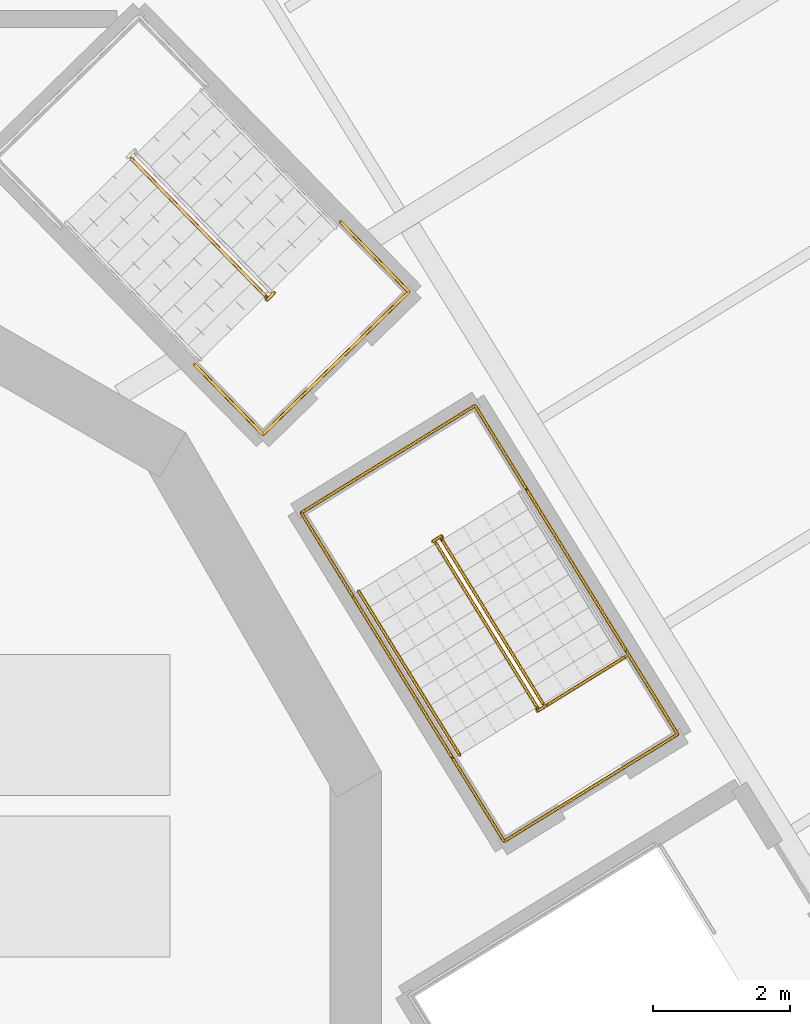
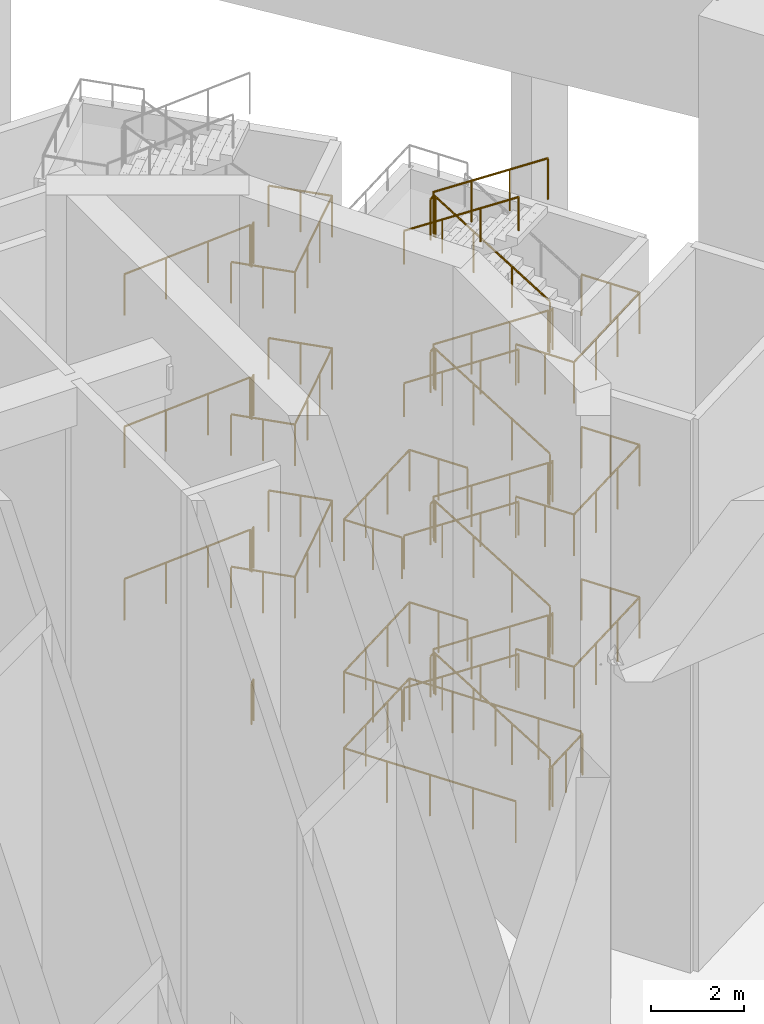
# One storey, part 13 of 15: 27 railings.
"""IFC4 building model written with IfcOpenShell, lengths in metres."""

from ifc_helpers import new_model, si_unit, direction, frame, origin, origin_2d, place, context, subcontext, project, spatial, circle, extrude, material, type_object, element, save


model = new_model("IFC4")

# Units and contexts
model_context = context("Model", 3, precision=1e-05, world=origin(), true_north=direction((0.0, 1.0)))
body_context = subcontext(model_context, "Body", "Model", "MODEL_VIEW")
ifc_project = project(units=[si_unit("LENGTHUNIT", "METRE"), si_unit("AREAUNIT", "SQUARE_METRE"), si_unit("VOLUMEUNIT", "CUBIC_METRE"), si_unit("PLANEANGLEUNIT", "RADIAN"), si_unit("MASSUNIT", "GRAM", prefix="KILO")], contexts=[model_context])

# Site, building, storey
site_placement = place(None, origin())
site = spatial("IfcSite", under=ifc_project, at=site_placement, CompositionType="ELEMENT")
building_placement = place(site_placement, origin())
building = spatial("IfcBuilding", under=site, at=building_placement, Name="Cantera Rosa Tower", CompositionType="ELEMENT")
storey_placement = place(building_placement, frame((0.0, 0.0, 189.39990234375)))
storey = spatial("IfcBuildingStorey", under=building, at=storey_placement, Name="L42", CompositionType="ELEMENT", Elevation=189.39990234375)

# Railings
ifc_material_1 = material(Name="Steel S355J2 (EN 10025-2)", Category="steel")
railing_type_1 = type_object("IfcRailingType", Name="STAIR GUARD 1100", PredefinedType="GUARDRAIL", material=ifc_material_1)
railing_1_placement = place(storey_placement, frame((14.174072265625, 4.513916015625, 0.0)))
element("IfcRailing", 1, at=railing_1_placement, inside=storey, type_object=railing_type_1, Name="L42 ST-31 top well guard 1", PredefinedType="GUARDRAIL", context=body_context, shape_type="SweptSolid", body=[
    extrude(circle(Radius=0.02392578125, at=origin_2d()), frame((0.0, 0.0, 1.076171875), z_axis=(-0.851138143202, -0.52494176933, 0.0), x_axis=(0.52494176933, -0.851138143202, 0.0)), (0.0, 0.0, 1.0), 1.5),
    extrude(circle(Radius=0.02099609375, at=origin_2d()), origin(), (0.0, 0.0, 1.0), 1.052001953125),
    extrude(circle(Radius=0.02099609375, at=origin_2d()), frame((-0.63818359375, -0.3935546875, 0.0)), (0.0, 0.0, 1.0), 1.052001953125),
    extrude(circle(Radius=0.02099609375, at=origin_2d()), frame((-1.276611328125, -0.787353515625, 0.0)), (0.0, 0.0, 1.0), 1.052001953125),
])
railing_2_placement = place(storey_placement, frame((14.192626953125, 4.59814453125, 0.0)))
element("IfcRailing", 2, at=railing_2_placement, inside=storey, type_object=railing_type_1, Name="L42 ST-31 top well guard 2", PredefinedType="GUARDRAIL", context=body_context, shape_type="SweptSolid", body=[
    extrude(circle(Radius=0.02392578125, at=origin_2d()), frame((0.0, 0.0, 1.076171875), z_axis=(-0.524976478809, 0.851116735059, 0.0), x_axis=(-0.851116735059, -0.524976478809, 0.0)), (0.0, 0.0, 1.0), 4.197998046875),
    extrude(circle(Radius=0.02392578125, at=origin_2d()), frame((-2.203857421875, 3.572998046875, 1.076171875), z_axis=(-0.851132917336, -0.524950242429, 0.0), x_axis=(0.524950242429, -0.851132917336, 0.0)), (0.0, 0.0, 1.0), 2.969970703125),
    extrude(circle(Radius=0.02392578125, at=origin_2d()), frame((-4.731689453125, 2.013916015625, 1.076171875), z_axis=(0.524976478809, -0.851116735059, 0.0), x_axis=(0.851116735059, 0.524976478809, 0.0)), (0.0, 0.0, 1.0), 4.197998046875),
    extrude(circle(Radius=0.02099609375, at=origin_2d()), origin(), (0.0, 0.0, 1.0), 1.052001953125),
    extrude(circle(Radius=0.02099609375, at=origin_2d()), frame((-0.551025390625, 0.893310546875, 0.0)), (0.0, 0.0, 1.0), 1.052001953125),
    extrude(circle(Radius=0.02099609375, at=origin_2d()), frame((-1.10205078125, 1.78662109375, 0.0)), (0.0, 0.0, 1.0), 1.052001953125),
    extrude(circle(Radius=0.02099609375, at=origin_2d()), frame((-1.65283203125, 2.6796875, 0.0)), (0.0, 0.0, 1.0), 1.052001953125),
    extrude(circle(Radius=0.02099609375, at=origin_2d()), frame((-2.203857421875, 3.572998046875, 0.0)), (0.0, 0.0, 1.0), 1.052001953125),
    extrude(circle(Radius=0.02099609375, at=origin_2d()), frame((-3.04638671875, 3.05322265625, 0.0)), (0.0, 0.0, 1.0), 1.052001953125),
    extrude(circle(Radius=0.02099609375, at=origin_2d()), frame((-3.88916015625, 2.53369140625, 0.0)), (0.0, 0.0, 1.0), 1.052001953125),
    extrude(circle(Radius=0.02099609375, at=origin_2d()), frame((-4.731689453125, 2.013916015625, 0.0)), (0.0, 0.0, 1.0), 1.052001953125),
    extrude(circle(Radius=0.02099609375, at=origin_2d()), frame((-4.1806640625, 1.12060546875, 0.0)), (0.0, 0.0, 1.0), 1.052001953125),
    extrude(circle(Radius=0.02099609375, at=origin_2d()), frame((-3.6298828125, 0.2275390625, 0.0)), (0.0, 0.0, 1.0), 1.052001953125),
    extrude(circle(Radius=0.02099609375, at=origin_2d()), frame((-3.078857421875, -0.665771484375, 0.0)), (0.0, 0.0, 1.0), 1.052001953125),
    extrude(circle(Radius=0.02099609375, at=origin_2d()), frame((-2.52783203125, -1.55908203125, 0.0)), (0.0, 0.0, 1.0), 1.052001953125),
])
railing_3_placement = place(storey_placement, frame((12.9765625, 3.834228515625, 0.181884765625)))
element("IfcRailing", 3, at=railing_3_placement, inside=storey, type_object=railing_type_1, Name="L42 ST-41 stair guard 1", PredefinedType="GUARDRAIL", context=body_context, shape_type="SweptSolid", body=[
    extrude(circle(Radius=0.02392578125, at=origin_2d()), frame((0.0, 0.0, 1.076171875), z_axis=(-0.440255040635, 0.713842101601, 0.544614499603), x_axis=(-0.851142948908, -0.5249339773, 0.0)), (0.0, 0.0, 1.0), 3.33837890625),
    extrude(circle(Radius=0.02392578125, at=origin_2d()), frame((-1.4697265625, 2.383056640625, 2.89404296875), z_axis=(-0.073711968402, 0.997279572494, 0.0), x_axis=(-0.997279572494, -0.073711968402, 0.0)), (0.0, 0.0, 1.0), 0.056396484375),
    extrude(circle(Radius=0.02392578125, at=origin_2d()), frame((-1.473876953125, 2.439208984375, 2.89404296875), z_axis=(-0.851546489876, -0.524279100842, 0.0), x_axis=(0.524279100842, -0.851546489876, 0.0)), (0.0, 0.0, 1.0), 0.14990234375),
    extrude(circle(Radius=0.02099609375, at=origin_2d()), origin(), (0.0, 0.0, 1.0), 1.052001953125),
    extrude(circle(Radius=0.02099609375, at=origin_2d()), frame((-0.489990234375, 0.79443359375, 0.60595703125)), (0.0, 0.0, 1.0), 1.052001953125),
    extrude(circle(Radius=0.02099609375, at=origin_2d()), frame((-0.979736328125, 1.588623046875, 1.212158203125)), (0.0, 0.0, 1.0), 1.052001953125),
    extrude(circle(Radius=0.02099609375, at=origin_2d()), frame((-1.4697265625, 2.383056640625, 1.818115234375)), (0.0, 0.0, 1.0), 1.052001953125),
    extrude(circle(Radius=0.02099609375, at=origin_2d()), frame((-1.473876953125, 2.439208984375, 1.818115234375)), (0.0, 0.0, 1.0), 1.052001953125),
    extrude(circle(Radius=0.02099609375, at=origin_2d()), frame((-1.6015625, 2.360595703125, 1.818115234375)), (0.0, 0.0, 1.0), 1.052001953125),
])
railing_4_placement = place(storey_placement, frame((11.42333984375, 6.165771484375, 2.181884765625)))
element("IfcRailing", 4, at=railing_4_placement, inside=storey, type_object=railing_type_1, Name="L42 ST-41 stair guard 2", PredefinedType="GUARDRAIL", context=body_context, shape_type="SweptSolid", body=[
    extrude(circle(Radius=0.02392578125, at=origin_2d()), frame((0.0, 0.0, 1.076171875), z_axis=(0.440313995068, -0.713819117399, 0.54459696417), x_axis=(0.851103988667, 0.524997143301, 0.0)), (0.0, 0.0, 1.0), 3.33837890625),
    extrude(circle(Radius=0.02392578125, at=origin_2d()), frame((1.469970703125, -2.383056640625, 2.89404296875), z_axis=(0.073711968402, -0.997279572494, 0.0), x_axis=(0.997279572494, 0.073711968402, 0.0)), (0.0, 0.0, 1.0), 0.056396484375),
    extrude(circle(Radius=0.02392578125, at=origin_2d()), frame((1.47412109375, -2.439208984375, 2.89404296875), z_axis=(0.851546489876, 0.524279100842, 0.0), x_axis=(-0.524279100842, 0.851546489876, 0.0)), (0.0, 0.0, 1.0), 0.14990234375),
    extrude(circle(Radius=0.02099609375, at=origin_2d()), origin(), (0.0, 0.0, 1.0), 1.052001953125),
    extrude(circle(Radius=0.02099609375, at=origin_2d()), frame((0.489990234375, -0.79443359375, 0.60595703125)), (0.0, 0.0, 1.0), 1.052001953125),
    extrude(circle(Radius=0.02099609375, at=origin_2d()), frame((0.97998046875, -1.588623046875, 1.212158203125)), (0.0, 0.0, 1.0), 1.052001953125),
    extrude(circle(Radius=0.02099609375, at=origin_2d()), frame((1.469970703125, -2.383056640625, 1.818115234375)), (0.0, 0.0, 1.0), 1.052001953125),
    extrude(circle(Radius=0.02099609375, at=origin_2d()), frame((1.47412109375, -2.439208984375, 1.818115234375)), (0.0, 0.0, 1.0), 1.052001953125),
    extrude(circle(Radius=0.02099609375, at=origin_2d()), frame((1.601806640625, -2.360595703125, 1.818115234375)), (0.0, 0.0, 1.0), 1.052001953125),
])
railing_5_placement = place(storey_placement, frame((12.9765625, 3.834228515625, 4.181884765625)))
element("IfcRailing", 5, at=railing_5_placement, inside=storey, type_object=railing_type_1, Name="L42 ST-41 stair guard 3", PredefinedType="GUARDRAIL", context=body_context, shape_type="SweptSolid", body=[
    extrude(circle(Radius=0.02392578125, at=origin_2d()), frame((0.0, 0.0, 1.076171875), z_axis=(-0.440255040635, 0.713842101601, 0.544614499603), x_axis=(-0.851142948908, -0.5249339773, 0.0)), (0.0, 0.0, 1.0), 3.33837890625),
    extrude(circle(Radius=0.02392578125, at=origin_2d()), frame((-1.4697265625, 2.383056640625, 2.89404296875), z_axis=(-0.073711968402, 0.997279572494, 0.0), x_axis=(-0.997279572494, -0.073711968402, 0.0)), (0.0, 0.0, 1.0), 0.056396484375),
    extrude(circle(Radius=0.02392578125, at=origin_2d()), frame((-1.473876953125, 2.439208984375, 2.89404296875), z_axis=(-0.851546489876, -0.524279100842, 0.0), x_axis=(0.524279100842, -0.851546489876, 0.0)), (0.0, 0.0, 1.0), 0.14990234375),
    extrude(circle(Radius=0.02099609375, at=origin_2d()), origin(), (0.0, 0.0, 1.0), 1.052001953125),
    extrude(circle(Radius=0.02099609375, at=origin_2d()), frame((-0.489990234375, 0.79443359375, 0.60595703125)), (0.0, 0.0, 1.0), 1.052001953125),
    extrude(circle(Radius=0.02099609375, at=origin_2d()), frame((-0.979736328125, 1.588623046875, 1.212158203125)), (0.0, 0.0, 1.0), 1.052001953125),
    extrude(circle(Radius=0.02099609375, at=origin_2d()), frame((-1.4697265625, 2.383056640625, 1.818115234375)), (0.0, 0.0, 1.0), 1.052001953125),
    extrude(circle(Radius=0.02099609375, at=origin_2d()), frame((-1.473876953125, 2.439208984375, 1.818115234375)), (0.0, 0.0, 1.0), 1.052001953125),
    extrude(circle(Radius=0.02099609375, at=origin_2d()), frame((-1.6015625, 2.360595703125, 1.818115234375)), (0.0, 0.0, 1.0), 1.052001953125),
])
railing_6_placement = place(storey_placement, frame((11.42333984375, 6.165771484375, 6.181884765625)))
element("IfcRailing", 6, at=railing_6_placement, inside=storey, type_object=railing_type_1, Name="L42 ST-41 stair guard 4", PredefinedType="GUARDRAIL", context=body_context, shape_type="SweptSolid", body=[
    extrude(circle(Radius=0.02392578125, at=origin_2d()), frame((0.0, 0.0, 1.076171875), z_axis=(0.440313995068, -0.713819117399, 0.54459696417), x_axis=(0.851103988667, 0.524997143301, 0.0)), (0.0, 0.0, 1.0), 3.33837890625),
    extrude(circle(Radius=0.02392578125, at=origin_2d()), frame((1.469970703125, -2.383056640625, 2.89404296875), z_axis=(0.073711968402, -0.997279572494, 0.0), x_axis=(0.997279572494, 0.073711968402, 0.0)), (0.0, 0.0, 1.0), 0.056396484375),
    extrude(circle(Radius=0.02392578125, at=origin_2d()), frame((1.47412109375, -2.439208984375, 2.89404296875), z_axis=(0.851546489876, 0.524279100842, 0.0), x_axis=(-0.524279100842, 0.851546489876, 0.0)), (0.0, 0.0, 1.0), 0.14990234375),
    extrude(circle(Radius=0.02099609375, at=origin_2d()), origin(), (0.0, 0.0, 1.0), 1.052001953125),
    extrude(circle(Radius=0.02099609375, at=origin_2d()), frame((0.489990234375, -0.79443359375, 0.60595703125)), (0.0, 0.0, 1.0), 1.052001953125),
    extrude(circle(Radius=0.02099609375, at=origin_2d()), frame((0.97998046875, -1.588623046875, 1.212158203125)), (0.0, 0.0, 1.0), 1.052001953125),
    extrude(circle(Radius=0.02099609375, at=origin_2d()), frame((1.469970703125, -2.383056640625, 1.818115234375)), (0.0, 0.0, 1.0), 1.052001953125),
    extrude(circle(Radius=0.02099609375, at=origin_2d()), frame((1.47412109375, -2.439208984375, 1.818115234375)), (0.0, 0.0, 1.0), 1.052001953125),
    extrude(circle(Radius=0.02099609375, at=origin_2d()), frame((1.601806640625, -2.360595703125, 1.818115234375)), (0.0, 0.0, 1.0), 1.052001953125),
])
railing_7_placement = place(storey_placement, frame((12.9765625, 3.834228515625, 8.181884765625)))
element("IfcRailing", 7, at=railing_7_placement, inside=storey, type_object=railing_type_1, Name="L42 ST-41 stair guard 5", PredefinedType="GUARDRAIL", context=body_context, shape_type="SweptSolid", body=[
    extrude(circle(Radius=0.02392578125, at=origin_2d()), frame((0.0, 0.0, 1.076171875), z_axis=(-0.440255040635, 0.713842101601, 0.544614499603), x_axis=(-0.851142948908, -0.5249339773, 0.0)), (0.0, 0.0, 1.0), 3.33837890625),
    extrude(circle(Radius=0.02392578125, at=origin_2d()), frame((-1.4697265625, 2.383056640625, 2.89404296875), z_axis=(-0.073711968402, 0.997279572494, 0.0), x_axis=(-0.997279572494, -0.073711968402, 0.0)), (0.0, 0.0, 1.0), 0.056396484375),
    extrude(circle(Radius=0.02392578125, at=origin_2d()), frame((-1.473876953125, 2.439208984375, 2.89404296875), z_axis=(-0.851546489876, -0.524279100842, 0.0), x_axis=(0.524279100842, -0.851546489876, 0.0)), (0.0, 0.0, 1.0), 0.14990234375),
    extrude(circle(Radius=0.02099609375, at=origin_2d()), origin(), (0.0, 0.0, 1.0), 1.052001953125),
    extrude(circle(Radius=0.02099609375, at=origin_2d()), frame((-0.489990234375, 0.79443359375, 0.60595703125)), (0.0, 0.0, 1.0), 1.052001953125),
    extrude(circle(Radius=0.02099609375, at=origin_2d()), frame((-0.979736328125, 1.588623046875, 1.212158203125)), (0.0, 0.0, 1.0), 1.052001953125),
    extrude(circle(Radius=0.02099609375, at=origin_2d()), frame((-1.4697265625, 2.383056640625, 1.818115234375)), (0.0, 0.0, 1.0), 1.052001953125),
    extrude(circle(Radius=0.02099609375, at=origin_2d()), frame((-1.473876953125, 2.439208984375, 1.818115234375)), (0.0, 0.0, 1.0), 1.052001953125),
    extrude(circle(Radius=0.02099609375, at=origin_2d()), frame((-1.6015625, 2.360595703125, 1.818115234375)), (0.0, 0.0, 1.0), 1.052001953125),
])
railing_8_placement = place(storey_placement, frame((11.42333984375, 6.165771484375, 10.181884765625)))
element("IfcRailing", 8, at=railing_8_placement, inside=storey, type_object=railing_type_1, Name="L42 ST-41 stair guard 6", PredefinedType="GUARDRAIL", context=body_context, shape_type="SweptSolid", body=[
    extrude(circle(Radius=0.02392578125, at=origin_2d()), frame((0.0, 0.0, 1.076171875), z_axis=(0.440313995068, -0.713819117399, 0.54459696417), x_axis=(0.851103988667, 0.524997143301, 0.0)), (0.0, 0.0, 1.0), 3.33837890625),
    extrude(circle(Radius=0.02392578125, at=origin_2d()), frame((1.469970703125, -2.383056640625, 2.89404296875), z_axis=(0.073711968402, -0.997279572494, 0.0), x_axis=(0.997279572494, 0.073711968402, 0.0)), (0.0, 0.0, 1.0), 0.056396484375),
    extrude(circle(Radius=0.02392578125, at=origin_2d()), frame((1.47412109375, -2.439208984375, 2.89404296875), z_axis=(0.851546489876, 0.524279100842, 0.0), x_axis=(-0.524279100842, 0.851546489876, 0.0)), (0.0, 0.0, 1.0), 0.14990234375),
    extrude(circle(Radius=0.02099609375, at=origin_2d()), origin(), (0.0, 0.0, 1.0), 1.052001953125),
    extrude(circle(Radius=0.02099609375, at=origin_2d()), frame((0.489990234375, -0.79443359375, 0.60595703125)), (0.0, 0.0, 1.0), 1.052001953125),
    extrude(circle(Radius=0.02099609375, at=origin_2d()), frame((0.97998046875, -1.588623046875, 1.212158203125)), (0.0, 0.0, 1.0), 1.052001953125),
    extrude(circle(Radius=0.02099609375, at=origin_2d()), frame((1.469970703125, -2.383056640625, 1.818115234375)), (0.0, 0.0, 1.0), 1.052001953125),
    extrude(circle(Radius=0.02099609375, at=origin_2d()), frame((1.47412109375, -2.439208984375, 1.818115234375)), (0.0, 0.0, 1.0), 1.052001953125),
    extrude(circle(Radius=0.02099609375, at=origin_2d()), frame((1.601806640625, -2.360595703125, 1.818115234375)), (0.0, 0.0, 1.0), 1.052001953125),
])
railing_9_placement = place(storey_placement, frame((12.9765625, 3.834228515625, 12.181884765625)))
element("IfcRailing", 9, at=railing_9_placement, inside=storey, type_object=railing_type_1, Name="L42 ST-41 stair guard 7", PredefinedType="GUARDRAIL", context=body_context, shape_type="SweptSolid", body=[
    extrude(circle(Radius=0.02392578125, at=origin_2d()), frame((0.0, 0.0, 1.076171875), z_axis=(-0.440255040635, 0.713842101601, 0.544614499603), x_axis=(-0.851142948908, -0.5249339773, 0.0)), (0.0, 0.0, 1.0), 3.33837890625),
    extrude(circle(Radius=0.02392578125, at=origin_2d()), frame((-1.4697265625, 2.383056640625, 2.89404296875), z_axis=(-0.073711968402, 0.997279572494, 0.0), x_axis=(-0.997279572494, -0.073711968402, 0.0)), (0.0, 0.0, 1.0), 0.056396484375),
    extrude(circle(Radius=0.02392578125, at=origin_2d()), frame((-1.473876953125, 2.439208984375, 2.89404296875), z_axis=(-0.851546489876, -0.524279100842, 0.0), x_axis=(0.524279100842, -0.851546489876, 0.0)), (0.0, 0.0, 1.0), 0.14990234375),
    extrude(circle(Radius=0.02099609375, at=origin_2d()), origin(), (0.0, 0.0, 1.0), 1.052001953125),
    extrude(circle(Radius=0.02099609375, at=origin_2d()), frame((-0.489990234375, 0.79443359375, 0.60595703125)), (0.0, 0.0, 1.0), 1.052001953125),
    extrude(circle(Radius=0.02099609375, at=origin_2d()), frame((-0.979736328125, 1.588623046875, 1.212158203125)), (0.0, 0.0, 1.0), 1.052001953125),
    extrude(circle(Radius=0.02099609375, at=origin_2d()), frame((-1.4697265625, 2.383056640625, 1.818115234375)), (0.0, 0.0, 1.0), 1.052001953125),
    extrude(circle(Radius=0.02099609375, at=origin_2d()), frame((-1.473876953125, 2.439208984375, 1.818115234375)), (0.0, 0.0, 1.0), 1.052001953125),
    extrude(circle(Radius=0.02099609375, at=origin_2d()), frame((-1.6015625, 2.360595703125, 1.818115234375)), (0.0, 0.0, 1.0), 1.052001953125),
])
railing_10_placement = place(storey_placement, frame((11.42333984375, 6.165771484375, 14.181884765625)))
element("IfcRailing", 10, at=railing_10_placement, inside=storey, type_object=railing_type_1, Name="L42 ST-41 stair guard 8", PredefinedType="GUARDRAIL", context=body_context, shape_type="SweptSolid", body=[
    extrude(circle(Radius=0.02392578125, at=origin_2d()), frame((0.0, 0.0, 1.076171875), z_axis=(0.440313995068, -0.713819117399, 0.54459696417), x_axis=(0.851103988667, 0.524997143301, 0.0)), (0.0, 0.0, 1.0), 3.33837890625),
    extrude(circle(Radius=0.02099609375, at=origin_2d()), origin(), (0.0, 0.0, 1.0), 1.052001953125),
    extrude(circle(Radius=0.02099609375, at=origin_2d()), frame((0.489990234375, -0.79443359375, 0.60595703125)), (0.0, 0.0, 1.0), 1.052001953125),
    extrude(circle(Radius=0.02099609375, at=origin_2d()), frame((0.97998046875, -1.588623046875, 1.212158203125)), (0.0, 0.0, 1.0), 1.052001953125),
    extrude(circle(Radius=0.02099609375, at=origin_2d()), frame((1.469970703125, -2.383056640625, 1.818115234375)), (0.0, 0.0, 1.0), 1.052001953125),
])
railing_11_placement = place(storey_placement, frame((13.025146484375, 3.80517578125, 0.0)))
element("IfcRailing", 11, at=railing_11_placement, inside=storey, type_object=railing_type_1, Name="L42 ST-41 stair guard 9", PredefinedType="GUARDRAIL", context=body_context, shape_type="SweptSolid", body=[
    extrude(circle(Radius=0.02392578125, at=origin_2d()), frame((0.0, 0.0, 1.076171875), z_axis=(-0.851546489876, -0.524279100842, 0.0), x_axis=(0.524279100842, -0.851546489876, 0.0)), (0.0, 0.0, 1.0), 0.14990234375),
    extrude(circle(Radius=0.02099609375, at=origin_2d()), origin(), (0.0, 0.0, 1.0), 1.052001953125),
    extrude(circle(Radius=0.02099609375, at=origin_2d()), frame((-0.127685546875, -0.07861328125, 0.0)), (0.0, 0.0, 1.0), 1.052001953125),
])
railing_12_placement = place(storey_placement, frame((12.7353515625, 6.9609375, 2.0)))
element("IfcRailing", 12, at=railing_12_placement, inside=storey, type_object=railing_type_1, Name="L42 ST-41 stair guard 10", PredefinedType="GUARDRAIL", context=body_context, shape_type="SweptSolid", body=[
    extrude(circle(Radius=0.02392578125, at=origin_2d()), frame((0.0, 0.0, 1.076171875), z_axis=(-0.525035889828, 0.851080086944, 0.0), x_axis=(-0.851080086944, -0.525035889828, 0.0)), (0.0, 0.0, 1.0), 1.421875),
    extrude(circle(Radius=0.02392578125, at=origin_2d()), frame((-0.74658203125, 1.210205078125, 1.076171875), z_axis=(-0.851132917336, -0.524950242429, 0.0), x_axis=(0.524950242429, -0.851132917336, 0.0)), (0.0, 0.0, 1.0), 2.969970703125),
    extrude(circle(Radius=0.02392578125, at=origin_2d()), frame((-3.2744140625, -0.348876953125, 1.076171875), z_axis=(0.525035889828, -0.851080086944, 0.0), x_axis=(0.851080086944, 0.525035889828, 0.0)), (0.0, 0.0, 1.0), 1.421875),
    extrude(circle(Radius=0.02099609375, at=origin_2d()), origin(), (0.0, 0.0, 1.0), 1.052001953125),
    extrude(circle(Radius=0.02099609375, at=origin_2d()), frame((-0.373291015625, 0.60498046875, 0.0)), (0.0, 0.0, 1.0), 1.052001953125),
    extrude(circle(Radius=0.02099609375, at=origin_2d()), frame((-0.74658203125, 1.210205078125, 0.0)), (0.0, 0.0, 1.0), 1.052001953125),
    extrude(circle(Radius=0.02099609375, at=origin_2d()), frame((-1.589111328125, 0.6904296875, 0.0)), (0.0, 0.0, 1.0), 1.052001953125),
    extrude(circle(Radius=0.02099609375, at=origin_2d()), frame((-2.431884765625, 0.1708984375, 0.0)), (0.0, 0.0, 1.0), 1.052001953125),
    extrude(circle(Radius=0.02099609375, at=origin_2d()), frame((-3.2744140625, -0.348876953125, 0.0)), (0.0, 0.0, 1.0), 1.052001953125),
    extrude(circle(Radius=0.02099609375, at=origin_2d()), frame((-2.901123046875, -0.9541015625, 0.0)), (0.0, 0.0, 1.0), 1.052001953125),
    extrude(circle(Radius=0.02099609375, at=origin_2d()), frame((-2.52783203125, -1.55908203125, 0.0)), (0.0, 0.0, 1.0), 1.052001953125),
])
railing_13_placement = place(storey_placement, frame((14.192626953125, 4.59814453125, 4.0)))
element("IfcRailing", 13, at=railing_13_placement, inside=storey, type_object=railing_type_1, Name="L42 ST-41 stair guard 11", PredefinedType="GUARDRAIL", context=body_context, shape_type="SweptSolid", body=[
    extrude(circle(Radius=0.02392578125, at=origin_2d()), frame((0.0, 0.0, 1.076171875), z_axis=(0.525035889828, -0.851080086944, 0.0), x_axis=(0.851080086944, 0.525035889828, 0.0)), (0.0, 0.0, 1.0), 1.421875),
    extrude(circle(Radius=0.02392578125, at=origin_2d()), frame((0.74658203125, -1.210205078125, 1.076171875), z_axis=(-0.851132917336, -0.524950242429, 0.0), x_axis=(0.524950242429, -0.851132917336, 0.0)), (0.0, 0.0, 1.0), 2.969970703125),
    extrude(circle(Radius=0.02392578125, at=origin_2d()), frame((-1.78125, -2.769287109375, 1.076171875), z_axis=(-0.525035889828, 0.851080086944, 0.0), x_axis=(-0.851080086944, -0.525035889828, 0.0)), (0.0, 0.0, 1.0), 1.421875),
    extrude(circle(Radius=0.02099609375, at=origin_2d()), origin(), (0.0, 0.0, 1.0), 1.052001953125),
    extrude(circle(Radius=0.02099609375, at=origin_2d()), frame((0.373291015625, -0.60498046875, 0.0)), (0.0, 0.0, 1.0), 1.052001953125),
    extrude(circle(Radius=0.02099609375, at=origin_2d()), frame((0.74658203125, -1.210205078125, 0.0)), (0.0, 0.0, 1.0), 1.052001953125),
    extrude(circle(Radius=0.02099609375, at=origin_2d()), frame((-0.095947265625, -1.72998046875, 0.0)), (0.0, 0.0, 1.0), 1.052001953125),
    extrude(circle(Radius=0.02099609375, at=origin_2d()), frame((-0.938720703125, -2.24951171875, 0.0)), (0.0, 0.0, 1.0), 1.052001953125),
    extrude(circle(Radius=0.02099609375, at=origin_2d()), frame((-1.78125, -2.769287109375, 0.0)), (0.0, 0.0, 1.0), 1.052001953125),
    extrude(circle(Radius=0.02099609375, at=origin_2d()), frame((-2.154541015625, -2.1640625, 0.0)), (0.0, 0.0, 1.0), 1.052001953125),
    extrude(circle(Radius=0.02099609375, at=origin_2d()), frame((-2.52783203125, -1.55908203125, 0.0)), (0.0, 0.0, 1.0), 1.052001953125),
])
railing_14_placement = place(storey_placement, frame((12.7353515625, 6.9609375, 6.0)))
element("IfcRailing", 14, at=railing_14_placement, inside=storey, type_object=railing_type_1, Name="L42 ST-41 stair guard 12", PredefinedType="GUARDRAIL", context=body_context, shape_type="SweptSolid", body=[
    extrude(circle(Radius=0.02392578125, at=origin_2d()), frame((0.0, 0.0, 1.076171875), z_axis=(-0.525035889828, 0.851080086944, 0.0), x_axis=(-0.851080086944, -0.525035889828, 0.0)), (0.0, 0.0, 1.0), 1.421875),
    extrude(circle(Radius=0.02392578125, at=origin_2d()), frame((-0.74658203125, 1.210205078125, 1.076171875), z_axis=(-0.851132917336, -0.524950242429, 0.0), x_axis=(0.524950242429, -0.851132917336, 0.0)), (0.0, 0.0, 1.0), 2.969970703125),
    extrude(circle(Radius=0.02392578125, at=origin_2d()), frame((-3.2744140625, -0.348876953125, 1.076171875), z_axis=(0.525035889828, -0.851080086944, 0.0), x_axis=(0.851080086944, 0.525035889828, 0.0)), (0.0, 0.0, 1.0), 1.421875),
    extrude(circle(Radius=0.02099609375, at=origin_2d()), origin(), (0.0, 0.0, 1.0), 1.052001953125),
    extrude(circle(Radius=0.02099609375, at=origin_2d()), frame((-0.373291015625, 0.60498046875, 0.0)), (0.0, 0.0, 1.0), 1.052001953125),
    extrude(circle(Radius=0.02099609375, at=origin_2d()), frame((-0.74658203125, 1.210205078125, 0.0)), (0.0, 0.0, 1.0), 1.052001953125),
    extrude(circle(Radius=0.02099609375, at=origin_2d()), frame((-1.589111328125, 0.6904296875, 0.0)), (0.0, 0.0, 1.0), 1.052001953125),
    extrude(circle(Radius=0.02099609375, at=origin_2d()), frame((-2.431884765625, 0.1708984375, 0.0)), (0.0, 0.0, 1.0), 1.052001953125),
    extrude(circle(Radius=0.02099609375, at=origin_2d()), frame((-3.2744140625, -0.348876953125, 0.0)), (0.0, 0.0, 1.0), 1.052001953125),
    extrude(circle(Radius=0.02099609375, at=origin_2d()), frame((-2.901123046875, -0.9541015625, 0.0)), (0.0, 0.0, 1.0), 1.052001953125),
    extrude(circle(Radius=0.02099609375, at=origin_2d()), frame((-2.52783203125, -1.55908203125, 0.0)), (0.0, 0.0, 1.0), 1.052001953125),
])
for number, where, name in (
    (15, (14.192626953125, 4.59814453125, 8.0), "L42 ST-41 stair guard 13"),
    (16, (14.192626953125, 4.59814453125, 12.0), "L42 ST-41 stair guard 15"),
):
    element("IfcRailing", number, at=place(storey_placement, frame(where)), inside=storey, type_object=railing_type_1, Name=name, PredefinedType="GUARDRAIL", context=body_context, shape_type="SweptSolid", body=[
        extrude(circle(Radius=0.02392578125, at=origin_2d()), frame((0.0, 0.0, 1.076171875), z_axis=(0.525035889828, -0.851080086944, 0.0), x_axis=(0.851080086944, 0.525035889828, 0.0)), (0.0, 0.0, 1.0), 1.421875),
        extrude(circle(Radius=0.02392578125, at=origin_2d()), frame((0.74658203125, -1.210205078125, 1.076171875), z_axis=(-0.851132917336, -0.524950242429, 0.0), x_axis=(0.524950242429, -0.851132917336, 0.0)), (0.0, 0.0, 1.0), 2.969970703125),
        extrude(circle(Radius=0.02392578125, at=origin_2d()), frame((-1.78125, -2.769287109375, 1.076171875), z_axis=(-0.525035889828, 0.851080086944, 0.0), x_axis=(-0.851080086944, -0.525035889828, 0.0)), (0.0, 0.0, 1.0), 1.421875),
        extrude(circle(Radius=0.02099609375, at=origin_2d()), origin(), (0.0, 0.0, 1.0), 1.052001953125),
        extrude(circle(Radius=0.02099609375, at=origin_2d()), frame((0.373291015625, -0.60498046875, 0.0)), (0.0, 0.0, 1.0), 1.052001953125),
        extrude(circle(Radius=0.02099609375, at=origin_2d()), frame((0.74658203125, -1.210205078125, 0.0)), (0.0, 0.0, 1.0), 1.052001953125),
        extrude(circle(Radius=0.02099609375, at=origin_2d()), frame((-0.095947265625, -1.72998046875, 0.0)), (0.0, 0.0, 1.0), 1.052001953125),
        extrude(circle(Radius=0.02099609375, at=origin_2d()), frame((-0.938720703125, -2.24951171875, 0.0)), (0.0, 0.0, 1.0), 1.052001953125),
        extrude(circle(Radius=0.02099609375, at=origin_2d()), frame((-1.78125, -2.769287109375, 0.0)), (0.0, 0.0, 1.0), 1.052001953125),
        extrude(circle(Radius=0.02099609375, at=origin_2d()), frame((-2.154541015625, -2.1640625, 0.0)), (0.0, 0.0, 1.0), 1.052001953125),
        extrude(circle(Radius=0.02099609375, at=origin_2d()), frame((-2.52783203125, -1.55908203125, 0.0)), (0.0, 0.0, 1.0), 1.052001953125),
    ])
for number, where, name in (
    (17, (6.986572265625, 11.76708984375, 2.181884765625), "L42 ST-42 stair guard 2"),
    (18, (6.986572265625, 11.76708984375, 6.181884765625), "L42 ST-42 stair guard 4"),
    (19, (6.986572265625, 11.76708984375, 10.181884765625), "L42 ST-42 stair guard 6"),
):
    element("IfcRailing", number, at=place(storey_placement, frame(where)), inside=storey, type_object=railing_type_1, Name=name, PredefinedType="GUARDRAIL", context=body_context, shape_type="SweptSolid", body=[
        extrude(circle(Radius=0.02392578125, at=origin_2d()), frame((0.0, 0.0, 1.076171875), z_axis=(0.586134841119, -0.599883231653, 0.544597150569), x_axis=(0.715255549244, 0.698863004655, 0.0)), (0.0, 0.0, 1.0), 3.33837890625),
        extrude(circle(Radius=0.02392578125, at=origin_2d()), frame((1.956787109375, -2.002685546875, 2.89404296875), z_axis=(0.290127576896, -0.956987977523, 0.0), x_axis=(0.956987977523, 0.290127576896, 0.0)), (0.0, 0.0, 1.0), 0.056396484375),
        extrude(circle(Radius=0.02392578125, at=origin_2d()), frame((1.97314453125, -2.056640625, 2.89404296875), z_axis=(0.715205710557, 0.698914008722, 0.0), x_axis=(-0.698914008722, 0.715205710557, 0.0)), (0.0, 0.0, 1.0), 0.14990234375),
        extrude(circle(Radius=0.02099609375, at=origin_2d()), origin(), (0.0, 0.0, 1.0), 1.052001953125),
        extrude(circle(Radius=0.02099609375, at=origin_2d()), frame((0.65234375, -0.66748046875, 0.60595703125)), (0.0, 0.0, 1.0), 1.052001953125),
        extrude(circle(Radius=0.02099609375, at=origin_2d()), frame((1.304443359375, -1.335205078125, 1.212158203125)), (0.0, 0.0, 1.0), 1.052001953125),
        extrude(circle(Radius=0.02099609375, at=origin_2d()), frame((1.956787109375, -2.002685546875, 1.818115234375)), (0.0, 0.0, 1.0), 1.052001953125),
        extrude(circle(Radius=0.02099609375, at=origin_2d()), frame((1.97314453125, -2.056640625, 1.818115234375)), (0.0, 0.0, 1.0), 1.052001953125),
        extrude(circle(Radius=0.02099609375, at=origin_2d()), frame((2.080322265625, -1.951904296875, 1.818115234375)), (0.0, 0.0, 1.0), 1.052001953125),
    ])
railing_15_placement = place(storey_placement, frame((9.06689453125, 9.815185546875, 0.0)))
element("IfcRailing", 20, at=railing_15_placement, inside=storey, type_object=railing_type_1, Name="L42 ST-42 stair guard 9", PredefinedType="GUARDRAIL", context=body_context, shape_type="SweptSolid", body=[
    extrude(circle(Radius=0.02392578125, at=origin_2d()), frame((0.0, 0.0, 1.076171875), z_axis=(-0.715205710557, -0.698914008722, 0.0), x_axis=(0.698914008722, -0.715205710557, 0.0)), (0.0, 0.0, 1.0), 0.14990234375),
    extrude(circle(Radius=0.02099609375, at=origin_2d()), origin(), (0.0, 0.0, 1.0), 1.052001953125),
    extrude(circle(Radius=0.02099609375, at=origin_2d()), frame((-0.107177734375, -0.104736328125, 0.0)), (0.0, 0.0, 1.0), 1.052001953125),
])
for number, where, name in (
    (21, (10.0322265625, 10.844970703125, 4.0), "L42 ST-42 stair guard 11"),
    (22, (10.0322265625, 10.844970703125, 8.0), "L42 ST-42 stair guard 13"),
    (23, (10.0322265625, 10.844970703125, 12.0), "L42 ST-42 stair guard 15"),
):
    element("IfcRailing", number, at=place(storey_placement, frame(where)), inside=storey, type_object=railing_type_1, Name=name, PredefinedType="GUARDRAIL", context=body_context, shape_type="SweptSolid", body=[
        extrude(circle(Radius=0.02392578125, at=origin_2d()), frame((0.0, 0.0, 1.076171875), z_axis=(0.698817171867, -0.715300328746, 0.0), x_axis=(0.715300328746, 0.698817171867, 0.0)), (0.0, 0.0, 1.0), 1.421875),
        extrude(circle(Radius=0.02392578125, at=origin_2d()), frame((0.99365234375, -1.01708984375, 1.076171875), z_axis=(-0.715238563072, -0.698880388833, 0.0), x_axis=(0.698880388833, -0.715238563072, 0.0)), (0.0, 0.0, 1.0), 2.969970703125),
        extrude(circle(Radius=0.02392578125, at=origin_2d()), frame((-1.130615234375, -3.0927734375, 1.076171875), z_axis=(-0.69881919578, 0.715298351465, 0.0), x_axis=(-0.715298351465, -0.69881919578, 0.0)), (0.0, 0.0, 1.0), 1.42236328125),
        extrude(circle(Radius=0.02099609375, at=origin_2d()), origin(), (0.0, 0.0, 1.0), 1.052001953125),
        extrude(circle(Radius=0.02099609375, at=origin_2d()), frame((0.496826171875, -0.508544921875, 0.0)), (0.0, 0.0, 1.0), 1.052001953125),
        extrude(circle(Radius=0.02099609375, at=origin_2d()), frame((0.99365234375, -1.01708984375, 0.0)), (0.0, 0.0, 1.0), 1.052001953125),
        extrude(circle(Radius=0.02099609375, at=origin_2d()), frame((0.28564453125, -1.708984375, 0.0)), (0.0, 0.0, 1.0), 1.052001953125),
        extrude(circle(Radius=0.02099609375, at=origin_2d()), frame((-0.422607421875, -2.40087890625, 0.0)), (0.0, 0.0, 1.0), 1.052001953125),
        extrude(circle(Radius=0.02099609375, at=origin_2d()), frame((-1.130615234375, -3.0927734375, 0.0)), (0.0, 0.0, 1.0), 1.052001953125),
        extrude(circle(Radius=0.02099609375, at=origin_2d()), frame((-1.62744140625, -2.583984375, 0.0)), (0.0, 0.0, 1.0), 1.052001953125),
        extrude(circle(Radius=0.02099609375, at=origin_2d()), frame((-2.12451171875, -2.075439453125, 0.0)), (0.0, 0.0, 1.0), 1.052001953125),
    ])
ifc_material_2 = material(Name="Steel S355J2 (EN 10025-2)", Category="steel")
railing_type_2 = type_object("IfcRailingType", Name="STAIR HANDRAIL 900", PredefinedType="HANDRAIL", material=ifc_material_2)
for number, where, name in (
    (24, (10.294677734375, 5.4697265625, 2.181884765625), "L42 ST-41 stair handrail 2"),
    (25, (10.294677734375, 5.4697265625, 6.181884765625), "L42 ST-41 stair handrail 4"),
    (26, (10.294677734375, 5.4697265625, 10.181884765625), "L42 ST-41 stair handrail 6"),
    (27, (10.294677734375, 5.4697265625, 14.181884765625), "L42 ST-41 stair handrail 8"),
):
    element("IfcRailing", number, at=place(storey_placement, frame(where)), inside=storey, type_object=railing_type_2, Name=name, PredefinedType="HANDRAIL", context=body_context, shape_type="SweptSolid", body=[
        extrude(circle(Radius=0.02392578125, at=origin_2d()), frame((0.0, 0.0, 0.8759765625), z_axis=(0.440313995068, -0.713819117399, 0.54459696417), x_axis=(0.851103988667, 0.524997143301, 0.0)), (0.0, 0.0, 1.0), 3.33837890625),
        extrude(circle(Radius=0.02099609375, at=origin_2d()), origin(), (0.0, 0.0, 1.0), 0.851806640625),
        extrude(circle(Radius=0.02099609375, at=origin_2d()), frame((0.489990234375, -0.79443359375, 0.60595703125)), (0.0, 0.0, 1.0), 0.851806640625),
        extrude(circle(Radius=0.02099609375, at=origin_2d()), frame((0.97998046875, -1.588623046875, 1.212158203125)), (0.0, 0.0, 1.0), 0.851806640625),
        extrude(circle(Radius=0.02099609375, at=origin_2d()), frame((1.469970703125, -2.383056640625, 1.818115234375)), (0.0, 0.0, 1.0), 0.851806640625),
    ])

save(model, "model.ifc")
